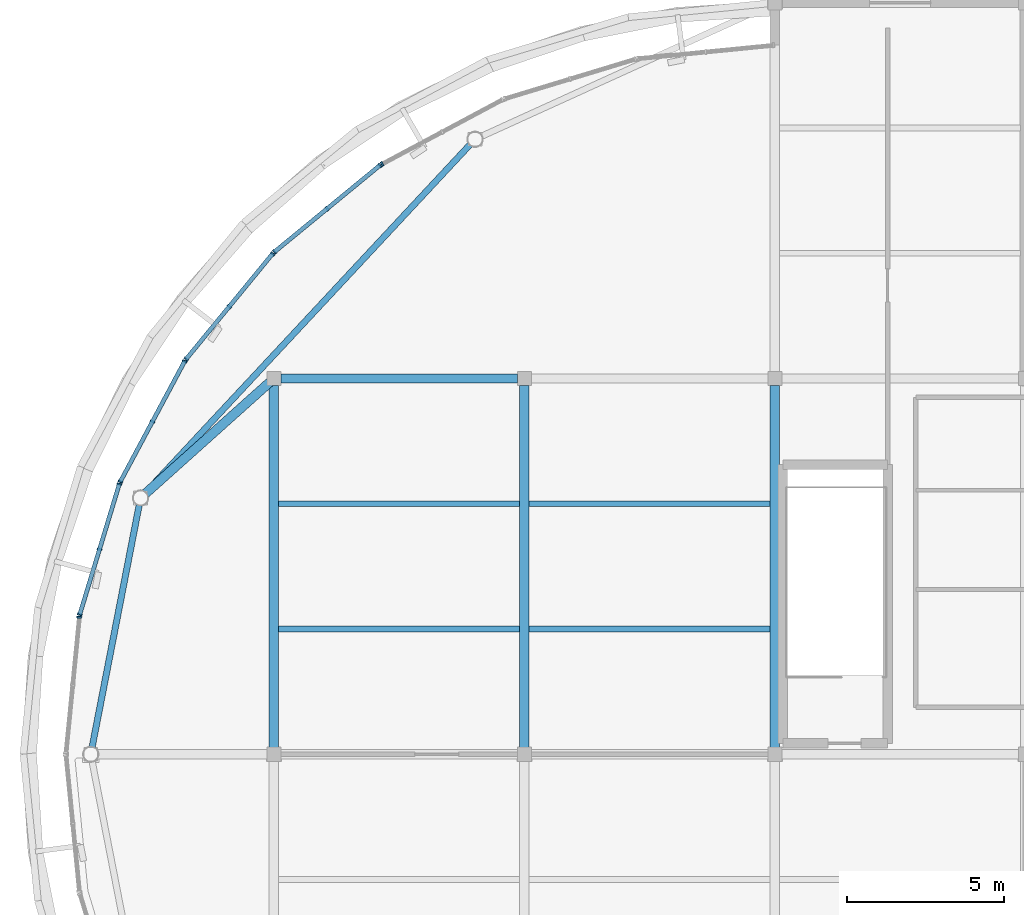
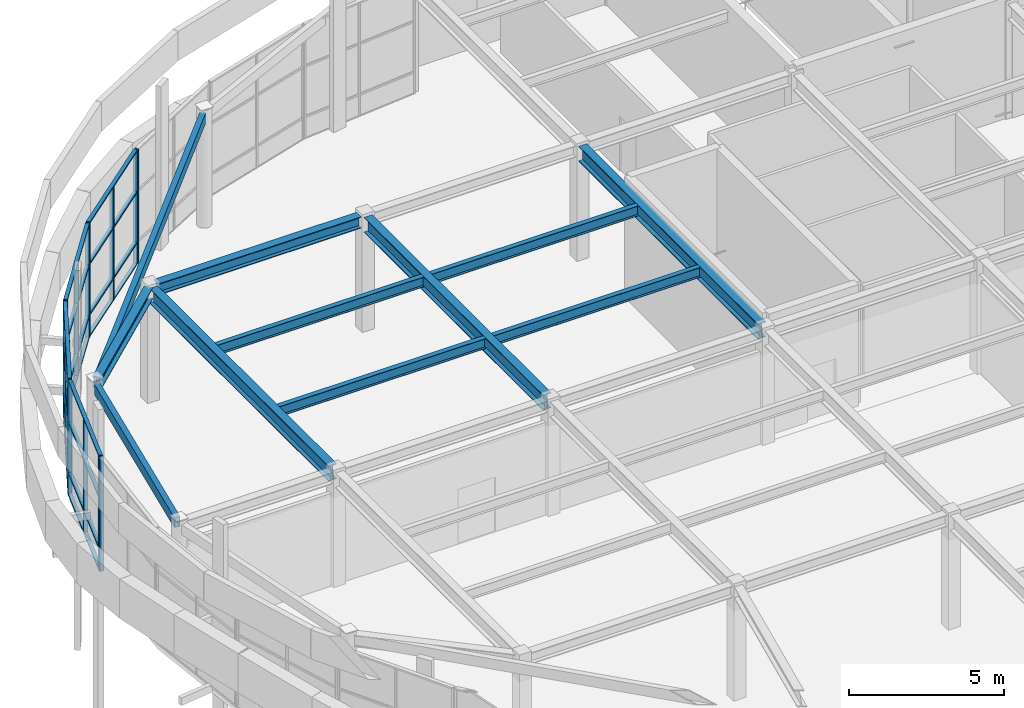
# One storey, part 14 of 63: 30 members, 11 beams, 6 elements without a shape of their own.
"""IFC4 building model written with IfcOpenShell, lengths in metres."""

from ifc_helpers import new_model, si_unit, direction, frame, origin, origin_2d, place, context, subcontext, project, spatial, rectangle, hollow_rectangle, i_section, extrude, material, layer, layer_set, material_profile, profile_set, type_object, element, aggregate, save


model = new_model("IFC4")

# Units and contexts
model_context = context("Model", 3, precision=1e-05, world=origin(), true_north=direction((0.0, 1.0)))
body_context = subcontext(model_context, "Body", "Model", "MODEL_VIEW")
ifc_project = project(units=[si_unit("LENGTHUNIT", "METRE"), si_unit("AREAUNIT", "SQUARE_METRE"), si_unit("VOLUMEUNIT", "CUBIC_METRE"), si_unit("PLANEANGLEUNIT", "RADIAN"), si_unit("MASSUNIT", "GRAM", prefix="KILO")], contexts=[model_context])

# Site, building, storey
site_placement = place(None, origin())
site = spatial("IfcSite", under=ifc_project, at=site_placement, CompositionType="ELEMENT")
building_placement = place(site_placement, origin())
building = spatial("IfcBuilding", under=site, at=building_placement, Name="Keelwater Ferry Terminal", CompositionType="ELEMENT")
storey_placement = place(building_placement, frame((0.0, 0.0, 10.199951171875)))
storey = spatial("IfcBuildingStorey", under=building, at=storey_placement, Name="L02", CompositionType="ELEMENT", Elevation=10.199951171875)

# Curtain wall, member
ifc_material_1 = material(Name="Thermally broken unitised aluminium and triple glass", Category="aluminium")
ifc_layer = layer(ifc_material_1, 0.179931640625)
ifc_layer_set = layer_set([ifc_layer], Name="Thermally broken unitised aluminium and triple glass")
curtain_wall_type = type_object("IfcCurtainWallType", Name="CW-18 Unitised Curtain Wall 4350x4480", PredefinedType="USERDEFINED", material=ifc_layer_set)
curtain_wall_1_placement = place(storey_placement, origin())
curtain_wall_1 = element("IfcCurtainWall", 1, at=curtain_wall_1_placement, inside=storey, type_object=curtain_wall_type, Name="Unitised Curtain Wall CW-L02-143", ObjectType="UNITISED CURTAIN WALL", PredefinedType="USERDEFINED")
ifc_material_2 = material(Name="Aluminium mullion", Category="aluminium")
ifc_material_profile_1 = material_profile(ifc_material_2, rectangle(XDim=0.06005859375, YDim=0.14990234375, at=origin_2d()), Name="CWM-03")
ifc_profile_set_1 = profile_set([ifc_material_profile_1], Name="Aluminium mullion")
member_type_1 = type_object("IfcMemberType", Name="CWM-03 Curtain Mullion 60x150", PredefinedType="MULLION", material=ifc_profile_set_1)
member_1_placement = place(storey_placement, frame((11.4560546875, 84.85400390625, 0.0), z_axis=(0.0, 0.0, 1.0), x_axis=(-0.881862452632, -0.471506749303, 0.0)))
member_1 = element("IfcMember", 2, at=member_1_placement, type_object=member_type_1, Name="CW-L02-143 Mullion 3", PredefinedType="MULLION", context=body_context, shape_type="SweptSolid", body=[
    extrude(rectangle(XDim=0.06005859375, YDim=0.14990234375, at=origin_2d()), origin(), (0.0, 0.0, 1.0), 4.47998046875),
])
aggregate(curtain_wall_1, [member_1])

# Curtain wall, members
curtain_wall_2_placement = place(storey_placement, origin())
curtain_wall_2 = element("IfcCurtainWall", 3, at=curtain_wall_2_placement, inside=storey, type_object=curtain_wall_type, Name="Unitised Curtain Wall CW-L02-144", ObjectType="UNITISED CURTAIN WALL", PredefinedType="USERDEFINED")
member_2_placement = place(storey_placement, frame((11.381103515625, 84.803955078125, 0.0), z_axis=(0.0, 0.0, 1.0), x_axis=(-0.773024220086, -0.634376508991, 0.0)))
member_2 = element("IfcMember", 4, at=member_2_placement, type_object=member_type_1, Name="CW-L02-144 Mullion 1", PredefinedType="MULLION", context=body_context, shape_type="SweptSolid", body=[
    extrude(rectangle(XDim=0.06005859375, YDim=0.14990234375, at=origin_2d()), origin(), (0.0, 0.0, 1.0), 4.47998046875),
])
member_3_placement = place(storey_placement, frame((9.699951171875, 83.424560546875, 0.0), z_axis=(0.0, 0.0, 1.0), x_axis=(-0.773024220086, -0.634376508991, 0.0)))
member_3 = element("IfcMember", 5, at=member_3_placement, type_object=member_type_1, Name="CW-L02-144 Mullion 2", PredefinedType="MULLION", context=body_context, shape_type="SweptSolid", body=[
    extrude(rectangle(XDim=0.06005859375, YDim=0.14990234375, at=origin_2d()), origin(), (0.0, 0.0, 1.0), 4.47998046875),
])
member_4_placement = place(storey_placement, frame((8.01904296875, 82.044921875, 0.0), z_axis=(0.0, 0.0, 1.0), x_axis=(-0.773024220086, -0.634376508991, 0.0)))
member_4 = element("IfcMember", 6, at=member_4_placement, type_object=member_type_1, Name="CW-L02-144 Mullion 3", PredefinedType="MULLION", context=body_context, shape_type="SweptSolid", body=[
    extrude(rectangle(XDim=0.06005859375, YDim=0.14990234375, at=origin_2d()), origin(), (0.0, 0.0, 1.0), 4.47998046875),
])

curtain_wall_3_placement = place(storey_placement, origin())
curtain_wall_3 = element("IfcCurtainWall", 7, at=curtain_wall_3_placement, inside=storey, type_object=curtain_wall_type, Name="Unitised Curtain Wall CW-L02-145", ObjectType="UNITISED CURTAIN WALL", PredefinedType="USERDEFINED")
member_5_placement = place(storey_placement, frame((7.955078125, 81.98095703125, 0.0), z_axis=(0.0, 0.0, 1.0), x_axis=(-0.634376508991, -0.773024220086, 0.0)))
member_5 = element("IfcMember", 8, at=member_5_placement, type_object=member_type_1, Name="CW-L02-145 Mullion 1", PredefinedType="MULLION", context=body_context, shape_type="SweptSolid", body=[
    extrude(rectangle(XDim=0.06005859375, YDim=0.14990234375, at=origin_2d()), origin(), (0.0, 0.0, 1.0), 4.47998046875),
])
member_6_placement = place(storey_placement, frame((6.575439453125, 80.300048828125, 0.0), z_axis=(0.0, 0.0, 1.0), x_axis=(-0.634376508991, -0.773024220086, 0.0)))
member_6 = element("IfcMember", 9, at=member_6_placement, type_object=member_type_1, Name="CW-L02-145 Mullion 2", PredefinedType="MULLION", context=body_context, shape_type="SweptSolid", body=[
    extrude(rectangle(XDim=0.06005859375, YDim=0.14990234375, at=origin_2d()), origin(), (0.0, 0.0, 1.0), 4.47998046875),
])
member_7_placement = place(storey_placement, frame((5.196044921875, 78.618896484375, 0.0), z_axis=(0.0, 0.0, 1.0), x_axis=(-0.634376508991, -0.773024220086, 0.0)))
member_7 = element("IfcMember", 10, at=member_7_placement, type_object=member_type_1, Name="CW-L02-145 Mullion 3", PredefinedType="MULLION", context=body_context, shape_type="SweptSolid", body=[
    extrude(rectangle(XDim=0.06005859375, YDim=0.14990234375, at=origin_2d()), origin(), (0.0, 0.0, 1.0), 4.47998046875),
])

curtain_wall_4_placement = place(storey_placement, origin())
curtain_wall_4 = element("IfcCurtainWall", 11, at=curtain_wall_4_placement, inside=storey, type_object=curtain_wall_type, Name="Unitised Curtain Wall CW-L02-146", ObjectType="UNITISED CURTAIN WALL", PredefinedType="USERDEFINED")
member_8_placement = place(storey_placement, frame((5.14599609375, 78.5439453125, 0.0), z_axis=(0.0, 0.0, 1.0), x_axis=(-0.471506749303, -0.881862452632, 0.0)))
member_8 = element("IfcMember", 12, at=member_8_placement, type_object=member_type_1, Name="CW-L02-146 Mullion 1", PredefinedType="MULLION", context=body_context, shape_type="SweptSolid", body=[
    extrude(rectangle(XDim=0.06005859375, YDim=0.14990234375, at=origin_2d()), origin(), (0.0, 0.0, 1.0), 4.47998046875),
])
member_9_placement = place(storey_placement, frame((4.12060546875, 76.6259765625, 0.0), z_axis=(0.0, 0.0, 1.0), x_axis=(-0.471506749303, -0.881862452632, 0.0)))
member_9 = element("IfcMember", 13, at=member_9_placement, type_object=member_type_1, Name="CW-L02-146 Mullion 2", PredefinedType="MULLION", context=body_context, shape_type="SweptSolid", body=[
    extrude(rectangle(XDim=0.06005859375, YDim=0.14990234375, at=origin_2d()), origin(), (0.0, 0.0, 1.0), 4.47998046875),
])
member_10_placement = place(storey_placement, frame((3.094970703125, 74.7080078125, 0.0), z_axis=(0.0, 0.0, 1.0), x_axis=(-0.471506749303, -0.881862452632, 0.0)))
member_10 = element("IfcMember", 14, at=member_10_placement, type_object=member_type_1, Name="CW-L02-146 Mullion 3", PredefinedType="MULLION", context=body_context, shape_type="SweptSolid", body=[
    extrude(rectangle(XDim=0.06005859375, YDim=0.14990234375, at=origin_2d()), origin(), (0.0, 0.0, 1.0), 4.47998046875),
])

curtain_wall_5_placement = place(storey_placement, origin())
curtain_wall_5 = element("IfcCurtainWall", 15, at=curtain_wall_5_placement, inside=storey, type_object=curtain_wall_type, Name="Unitised Curtain Wall CW-L02-147", ObjectType="UNITISED CURTAIN WALL", PredefinedType="USERDEFINED")
member_11_placement = place(storey_placement, frame((3.06103515625, 74.625, 0.0), z_axis=(0.0, 0.0, 1.0), x_axis=(-0.290319989003, -0.956929623319, 0.0)))
member_11 = element("IfcMember", 16, at=member_11_placement, type_object=member_type_1, Name="CW-L02-147 Mullion 1", PredefinedType="MULLION", context=body_context, shape_type="SweptSolid", body=[
    extrude(rectangle(XDim=0.06005859375, YDim=0.14990234375, at=origin_2d()), origin(), (0.0, 0.0, 1.0), 4.47998046875),
])
member_12_placement = place(storey_placement, frame((2.429443359375, 72.54345703125, 0.0), z_axis=(0.0, 0.0, 1.0), x_axis=(-0.290319989003, -0.956929623319, 0.0)))
member_12 = element("IfcMember", 17, at=member_12_placement, type_object=member_type_1, Name="CW-L02-147 Mullion 2", PredefinedType="MULLION", context=body_context, shape_type="SweptSolid", body=[
    extrude(rectangle(XDim=0.06005859375, YDim=0.14990234375, at=origin_2d()), origin(), (0.0, 0.0, 1.0), 4.47998046875),
])
member_13_placement = place(storey_placement, frame((1.798095703125, 70.4619140625, 0.0), z_axis=(0.0, 0.0, 1.0), x_axis=(-0.290319989003, -0.956929623319, 0.0)))
member_13 = element("IfcMember", 18, at=member_13_placement, type_object=member_type_1, Name="CW-L02-147 Mullion 3", PredefinedType="MULLION", context=body_context, shape_type="SweptSolid", body=[
    extrude(rectangle(XDim=0.06005859375, YDim=0.14990234375, at=origin_2d()), origin(), (0.0, 0.0, 1.0), 4.47998046875),
])

# Curtain wall, member
curtain_wall_6_placement = place(storey_placement, origin())
curtain_wall_6 = element("IfcCurtainWall", 19, at=curtain_wall_6_placement, inside=storey, type_object=curtain_wall_type, Name="Unitised Curtain Wall CW-L02-148", ObjectType="UNITISED CURTAIN WALL", PredefinedType="USERDEFINED")
member_14_placement = place(storey_placement, frame((1.781005859375, 70.3740234375, 0.0), z_axis=(0.0, 0.0, 1.0), x_axis=(-0.098160737969, -0.995170573079, 0.0)))
member_14 = element("IfcMember", 20, at=member_14_placement, type_object=member_type_1, Name="CW-L02-148 Mullion 1", PredefinedType="MULLION", context=body_context, shape_type="SweptSolid", body=[
    extrude(rectangle(XDim=0.06005859375, YDim=0.14990234375, at=origin_2d()), origin(), (0.0, 0.0, 1.0), 4.47998046875),
])
aggregate(curtain_wall_6, [member_14])

# Member
ifc_material_3 = material(Name="Aluminium mullion", Category="aluminium")
ifc_material_profile_2 = material_profile(ifc_material_3, rectangle(XDim=0.135009765625, YDim=0.06005859375, at=origin_2d()), Name="CWT-03")
ifc_profile_set_2 = profile_set([ifc_material_profile_2], Name="Aluminium mullion")
member_type_2 = type_object("IfcMemberType", Name="CWT-03 Curtain Transom 60x135", PredefinedType="USERDEFINED", material=ifc_profile_set_2)
member_15_placement = place(storey_placement, frame((11.381103515625, 84.803955078125, 0.0), z_axis=(-0.773026078732, -0.634374244118, 0.0), x_axis=(0.634374244118, -0.773026078732, 0.0)))
member_15 = element("IfcMember", 21, at=member_15_placement, type_object=member_type_2, Name="CW-L02-144 Transom 1", ObjectType="TRANSOM", PredefinedType="USERDEFINED", context=body_context, shape_type="SweptSolid", body=[
    extrude(rectangle(XDim=0.135009765625, YDim=0.06005859375, at=origin_2d()), origin(), (0.0, 0.0, 1.0), 4.34912109375),
])

member_16_placement = place(storey_placement, frame((11.381103515625, 84.803955078125, 0.85009765625), z_axis=(-0.773026078732, -0.634374244118, 0.0), x_axis=(0.634374244118, -0.773026078732, 0.0)))
member_16 = element("IfcMember", 22, at=member_16_placement, type_object=member_type_2, Name="CW-L02-144 Transom 2", ObjectType="TRANSOM", PredefinedType="USERDEFINED", context=body_context, shape_type="SweptSolid", body=[
    extrude(rectangle(XDim=0.135009765625, YDim=0.06005859375, at=origin_2d()), origin(), (0.0, 0.0, 1.0), 4.34912109375),
])

member_17_placement = place(storey_placement, frame((11.381103515625, 84.803955078125, 2.85009765625), z_axis=(-0.773026078732, -0.634374244118, 0.0), x_axis=(0.634374244118, -0.773026078732, 0.0)))
member_17 = element("IfcMember", 23, at=member_17_placement, type_object=member_type_2, Name="CW-L02-144 Transom 3", ObjectType="TRANSOM", PredefinedType="USERDEFINED", context=body_context, shape_type="SweptSolid", body=[
    extrude(rectangle(XDim=0.135009765625, YDim=0.06005859375, at=origin_2d()), origin(), (0.0, 0.0, 1.0), 4.34912109375),
])

member_18_placement = place(storey_placement, frame((11.381103515625, 84.803955078125, 4.47998046875), z_axis=(-0.773026078732, -0.634374244118, 0.0), x_axis=(0.634374244118, -0.773026078732, 0.0)))
member_18 = element("IfcMember", 24, at=member_18_placement, type_object=member_type_2, Name="CW-L02-144 Transom 4", ObjectType="TRANSOM", PredefinedType="USERDEFINED", context=body_context, shape_type="SweptSolid", body=[
    extrude(rectangle(XDim=0.135009765625, YDim=0.06005859375, at=origin_2d()), origin(), (0.0, 0.0, 1.0), 4.34912109375),
])

aggregate(curtain_wall_2, [member_2, member_3, member_4, member_15, member_16, member_17, member_18])

member_19_placement = place(storey_placement, frame((7.955078125, 81.98095703125, 0.0), z_axis=(-0.634374244118, -0.773026078732, 0.0), x_axis=(0.773026078732, -0.634374244118, 0.0)))
member_19 = element("IfcMember", 25, at=member_19_placement, type_object=member_type_2, Name="CW-L02-145 Transom 1", ObjectType="TRANSOM", PredefinedType="USERDEFINED", context=body_context, shape_type="SweptSolid", body=[
    extrude(rectangle(XDim=0.135009765625, YDim=0.06005859375, at=origin_2d()), origin(), (0.0, 0.0, 1.0), 4.34912109375),
])

member_20_placement = place(storey_placement, frame((7.955078125, 81.98095703125, 0.85009765625), z_axis=(-0.634374244118, -0.773026078732, 0.0), x_axis=(0.773026078732, -0.634374244118, 0.0)))
member_20 = element("IfcMember", 26, at=member_20_placement, type_object=member_type_2, Name="CW-L02-145 Transom 2", ObjectType="TRANSOM", PredefinedType="USERDEFINED", context=body_context, shape_type="SweptSolid", body=[
    extrude(rectangle(XDim=0.135009765625, YDim=0.06005859375, at=origin_2d()), origin(), (0.0, 0.0, 1.0), 4.34912109375),
])

member_21_placement = place(storey_placement, frame((7.955078125, 81.98095703125, 2.85009765625), z_axis=(-0.634374244118, -0.773026078732, 0.0), x_axis=(0.773026078732, -0.634374244118, 0.0)))
member_21 = element("IfcMember", 27, at=member_21_placement, type_object=member_type_2, Name="CW-L02-145 Transom 3", ObjectType="TRANSOM", PredefinedType="USERDEFINED", context=body_context, shape_type="SweptSolid", body=[
    extrude(rectangle(XDim=0.135009765625, YDim=0.06005859375, at=origin_2d()), origin(), (0.0, 0.0, 1.0), 4.34912109375),
])

member_22_placement = place(storey_placement, frame((7.955078125, 81.98095703125, 4.47998046875), z_axis=(-0.634374244118, -0.773026078732, 0.0), x_axis=(0.773026078732, -0.634374244118, 0.0)))
member_22 = element("IfcMember", 28, at=member_22_placement, type_object=member_type_2, Name="CW-L02-145 Transom 4", ObjectType="TRANSOM", PredefinedType="USERDEFINED", context=body_context, shape_type="SweptSolid", body=[
    extrude(rectangle(XDim=0.135009765625, YDim=0.06005859375, at=origin_2d()), origin(), (0.0, 0.0, 1.0), 4.34912109375),
])

aggregate(curtain_wall_3, [member_5, member_6, member_7, member_19, member_20, member_21, member_22])

member_23_placement = place(storey_placement, frame((5.14599609375, 78.5439453125, 0.0), z_axis=(-0.471517263122, -0.881856831112, 0.0), x_axis=(0.881856831112, -0.471517263122, 0.0)))
member_23 = element("IfcMember", 29, at=member_23_placement, type_object=member_type_2, Name="CW-L02-146 Transom 1", ObjectType="TRANSOM", PredefinedType="USERDEFINED", context=body_context, shape_type="SweptSolid", body=[
    extrude(rectangle(XDim=0.135009765625, YDim=0.06005859375, at=origin_2d()), origin(), (0.0, 0.0, 1.0), 4.349853515625),
])

member_24_placement = place(storey_placement, frame((5.14599609375, 78.5439453125, 0.85009765625), z_axis=(-0.471517263122, -0.881856831112, 0.0), x_axis=(0.881856831112, -0.471517263122, 0.0)))
member_24 = element("IfcMember", 30, at=member_24_placement, type_object=member_type_2, Name="CW-L02-146 Transom 2", ObjectType="TRANSOM", PredefinedType="USERDEFINED", context=body_context, shape_type="SweptSolid", body=[
    extrude(rectangle(XDim=0.135009765625, YDim=0.06005859375, at=origin_2d()), origin(), (0.0, 0.0, 1.0), 4.349853515625),
])

member_25_placement = place(storey_placement, frame((5.14599609375, 78.5439453125, 2.85009765625), z_axis=(-0.471517263122, -0.881856831112, 0.0), x_axis=(0.881856831112, -0.471517263122, 0.0)))
member_25 = element("IfcMember", 31, at=member_25_placement, type_object=member_type_2, Name="CW-L02-146 Transom 3", ObjectType="TRANSOM", PredefinedType="USERDEFINED", context=body_context, shape_type="SweptSolid", body=[
    extrude(rectangle(XDim=0.135009765625, YDim=0.06005859375, at=origin_2d()), origin(), (0.0, 0.0, 1.0), 4.349853515625),
])

member_26_placement = place(storey_placement, frame((5.14599609375, 78.5439453125, 4.47998046875), z_axis=(-0.471517263122, -0.881856831112, 0.0), x_axis=(0.881856831112, -0.471517263122, 0.0)))
member_26 = element("IfcMember", 32, at=member_26_placement, type_object=member_type_2, Name="CW-L02-146 Transom 4", ObjectType="TRANSOM", PredefinedType="USERDEFINED", context=body_context, shape_type="SweptSolid", body=[
    extrude(rectangle(XDim=0.135009765625, YDim=0.06005859375, at=origin_2d()), origin(), (0.0, 0.0, 1.0), 4.349853515625),
])

aggregate(curtain_wall_4, [member_8, member_9, member_10, member_23, member_24, member_25, member_26])

member_27_placement = place(storey_placement, frame((3.06103515625, 74.625, 0.0), z_axis=(-0.290301756665, -0.956935154583, 0.0), x_axis=(0.956935154583, -0.290301756665, 0.0)))
member_27 = element("IfcMember", 33, at=member_27_placement, type_object=member_type_2, Name="CW-L02-147 Transom 1", ObjectType="TRANSOM", PredefinedType="USERDEFINED", context=body_context, shape_type="SweptSolid", body=[
    extrude(rectangle(XDim=0.135009765625, YDim=0.06005859375, at=origin_2d()), origin(), (0.0, 0.0, 1.0), 4.350341796875),
])

member_28_placement = place(storey_placement, frame((3.06103515625, 74.625, 0.85009765625), z_axis=(-0.290301756665, -0.956935154583, 0.0), x_axis=(0.956935154583, -0.290301756665, 0.0)))
member_28 = element("IfcMember", 34, at=member_28_placement, type_object=member_type_2, Name="CW-L02-147 Transom 2", ObjectType="TRANSOM", PredefinedType="USERDEFINED", context=body_context, shape_type="SweptSolid", body=[
    extrude(rectangle(XDim=0.135009765625, YDim=0.06005859375, at=origin_2d()), origin(), (0.0, 0.0, 1.0), 4.350341796875),
])

member_29_placement = place(storey_placement, frame((3.06103515625, 74.625, 2.85009765625), z_axis=(-0.290301756665, -0.956935154583, 0.0), x_axis=(0.956935154583, -0.290301756665, 0.0)))
member_29 = element("IfcMember", 35, at=member_29_placement, type_object=member_type_2, Name="CW-L02-147 Transom 3", ObjectType="TRANSOM", PredefinedType="USERDEFINED", context=body_context, shape_type="SweptSolid", body=[
    extrude(rectangle(XDim=0.135009765625, YDim=0.06005859375, at=origin_2d()), origin(), (0.0, 0.0, 1.0), 4.350341796875),
])

member_30_placement = place(storey_placement, frame((3.06103515625, 74.625, 4.47998046875), z_axis=(-0.290301756665, -0.956935154583, 0.0), x_axis=(0.956935154583, -0.290301756665, 0.0)))
member_30 = element("IfcMember", 36, at=member_30_placement, type_object=member_type_2, Name="CW-L02-147 Transom 4", ObjectType="TRANSOM", PredefinedType="USERDEFINED", context=body_context, shape_type="SweptSolid", body=[
    extrude(rectangle(XDim=0.135009765625, YDim=0.06005859375, at=origin_2d()), origin(), (0.0, 0.0, 1.0), 4.350341796875),
])

aggregate(curtain_wall_5, [member_11, member_12, member_13, member_27, member_28, member_29, member_30])

# Beams
ifc_material_4 = material(Name="Steel S355", Category="steel")
ifc_material_profile_3 = material_profile(ifc_material_4, i_section(OverallWidth=0.300048828125, OverallDepth=0.60009765625, WebThickness=0.015380859375, FlangeThickness=0.030029296875, at=origin_2d()), Name="HEB 600")
ifc_profile_set_3 = profile_set([ifc_material_profile_3], Name="Steel S355")
beam_type_1 = type_object("IfcBeamType", Name="G3 HEB 600", PredefinedType="BEAM", material=ifc_profile_set_3)
beam_1_placement = place(storey_placement, frame((24.0, 66.219970703125, 4.219970703125), z_axis=(0.0, 1.0, 0.0), x_axis=(-1.0, 0.0, 0.0)))
element("IfcBeam", 37, at=beam_1_placement, inside=storey, type_object=beam_type_1, Name="Beam BM-L02-1078", PredefinedType="BEAM", context=body_context, shape_type="SweptSolid", body=[
    extrude(i_section(OverallWidth=0.300048828125, OverallDepth=0.60009765625, WebThickness=0.015380859375, FlangeThickness=0.030029296875, at=origin_2d()), origin(), (0.0, 0.0, 1.0), 11.56005859375),
])
ifc_material_5 = material(Name="Steel S355", Category="steel")
ifc_material_profile_4 = material_profile(ifc_material_5, i_section(OverallWidth=0.300048828125, OverallDepth=0.60009765625, WebThickness=0.015380859375, FlangeThickness=0.030029296875, at=origin_2d()), Name="HEB 600")
ifc_profile_set_4 = profile_set([ifc_material_profile_4], Name="Steel S355")
beam_type_2 = type_object("IfcBeamType", Name="G3E HEB 600", PredefinedType="BEAM", material=ifc_profile_set_4)
for number, where, z_axis, x_axis, name in (
    (38, (8.0, 66.219970703125, 4.219970703125), (0.0, 1.0, 0.0), (-1.0, 0.0, 0.0), "Beam BM-L02-1073"),
    (39, (16.0, 66.219970703125, 4.219970703125), (0.0, 1.0, 0.0), (-1.0, 0.0, 0.0), "Beam BM-L02-1075"),
):
    element("IfcBeam", number, at=place(storey_placement, frame(where, z_axis=z_axis, x_axis=x_axis)), inside=storey, type_object=beam_type_2, Name=name, PredefinedType="BEAM", context=body_context, shape_type="SweptSolid", body=[
        extrude(i_section(OverallWidth=0.300048828125, OverallDepth=0.60009765625, WebThickness=0.015380859375, FlangeThickness=0.030029296875, at=origin_2d()), origin(), (0.0, 0.0, 1.0), 11.56005859375),
    ])
ifc_material_6 = material(Name="Steel S355", Category="steel")
ifc_material_profile_5 = material_profile(ifc_material_6, i_section(OverallWidth=0.300048828125, OverallDepth=0.449951171875, WebThickness=0.013916015625, FlangeThickness=0.02587890625, at=origin_2d()), Name="HEB 450")
ifc_profile_set_5 = profile_set([ifc_material_profile_5], Name="Steel S355")
beam_type_3 = type_object("IfcBeamType", Name="G6 HEB 450", PredefinedType="BEAM", material=ifc_profile_set_5)
beam_2_placement = place(storey_placement, frame((8.219970703125, 78.0, 4.295166015625), z_axis=(1.0, 0.0, 0.0), x_axis=(0.0, 1.0, 0.0)))
element("IfcBeam", 40, at=beam_2_placement, inside=storey, type_object=beam_type_3, Name="Beam BM-L02-1018", PredefinedType="BEAM", context=body_context, shape_type="SweptSolid", body=[
    extrude(i_section(OverallWidth=0.300048828125, OverallDepth=0.449951171875, WebThickness=0.013916015625, FlangeThickness=0.02587890625, at=origin_2d()), origin(), (0.0, 0.0, 1.0), 7.56005859375),
])
beam_3_placement = place(storey_placement, frame((3.883056640625, 74.31201171875, 4.295166015625), z_axis=(0.74481402032, 0.667272114759, 0.0), x_axis=(-0.667272114759, 0.74481402032, 0.0)))
element("IfcBeam", 41, at=beam_3_placement, inside=storey, type_object=beam_type_3, Name="Beam BM-L02-1271", PredefinedType="BEAM", context=body_context, shape_type="SweptSolid", body=[
    extrude(i_section(OverallWidth=0.300048828125, OverallDepth=0.449951171875, WebThickness=0.013916015625, FlangeThickness=0.02587890625, at=origin_2d()), origin(), (0.0, 0.0, 1.0), 5.336669921875),
])
ifc_material_7 = material(Name="Steel S355", Category="steel")
ifc_material_profile_6 = material_profile(ifc_material_7, i_section(OverallWidth=0.179931640625, OverallDepth=0.39990234375, WebThickness=0.008544921875, FlangeThickness=0.013427734375, at=origin_2d()), Name="IPE 400")
ifc_profile_set_6 = profile_set([ifc_material_profile_6], Name="Steel S355")
beam_type_4 = type_object("IfcBeamType", Name="J5 IPE 400", PredefinedType="JOIST", material=ifc_profile_set_6)
for number, where, z_axis, x_axis, name in (
    (42, (8.14990234375, 70.0, 4.320068359375), (1.0, 0.0, 0.0), (0.0, 1.0, 0.0), "Beam BM-L02-1150"),
    (43, (8.14990234375, 74.0, 4.320068359375), (1.0, 0.0, 0.0), (0.0, 1.0, 0.0), "Beam BM-L02-1151"),
    (44, (16.14990234375, 70.0, 4.320068359375), (1.0, 0.0, 0.0), (0.0, 1.0, 0.0), "Beam BM-L02-1154"),
    (45, (16.14990234375, 74.0, 4.320068359375), (1.0, 0.0, 0.0), (0.0, 1.0, 0.0), "Beam BM-L02-1155"),
):
    element("IfcBeam", number, at=place(storey_placement, frame(where, z_axis=z_axis, x_axis=x_axis)), inside=storey, type_object=beam_type_4, Name=name, PredefinedType="JOIST", context=body_context, shape_type="SweptSolid", body=[
        extrude(i_section(OverallWidth=0.179931640625, OverallDepth=0.39990234375, WebThickness=0.008544921875, FlangeThickness=0.013427734375, at=origin_2d()), origin(), (0.0, 0.0, 1.0), 7.7001953125),
    ])
ifc_material_8 = material(Name="Steel S355", Category="steel")
ifc_material_profile_7 = material_profile(ifc_material_8, hollow_rectangle(XDim=0.199951171875, YDim=0.39990234375, WallThickness=0.01611328125, at=origin_2d()), Name="RHS 400x200x16")
ifc_profile_set_7 = profile_set([ifc_material_profile_7], Name="Steel S355")
beam_type_5 = type_object("IfcBeamType", Name="SP3E RHS 400x200x16", PredefinedType="SPANDREL", material=ifc_profile_set_7)
beam_4_placement = place(storey_placement, frame((14.2919921875, 85.5, 4.320068359375), z_axis=(-0.681966371638, -0.731383529999, 0.0), x_axis=(0.731383529999, -0.681966371638, 0.0)))
element("IfcBeam", 46, at=beam_4_placement, inside=storey, type_object=beam_type_5, Name="Beam BM-L02-1266", PredefinedType="SPANDREL", context=body_context, shape_type="SweptSolid", body=[
    extrude(hollow_rectangle(XDim=0.199951171875, YDim=0.39990234375, WallThickness=0.01611328125, at=origin_2d()), origin(), (0.0, 0.0, 1.0), 15.28076171875),
])
beam_5_placement = place(storey_placement, frame((3.705078125, 73.998046875, 4.320068359375), z_axis=(-0.190897579934, -0.981609960206, 0.0), x_axis=(0.981609960206, -0.190897579934, 0.0)))
element("IfcBeam", 47, at=beam_5_placement, inside=storey, type_object=beam_type_5, Name="Beam BM-L02-1267", PredefinedType="SPANDREL", context=body_context, shape_type="SweptSolid", body=[
    extrude(hollow_rectangle(XDim=0.199951171875, YDim=0.39990234375, WallThickness=0.01611328125, at=origin_2d()), origin(), (0.0, 0.0, 1.0), 7.957275390625),
])

save(model, "model.ifc")
